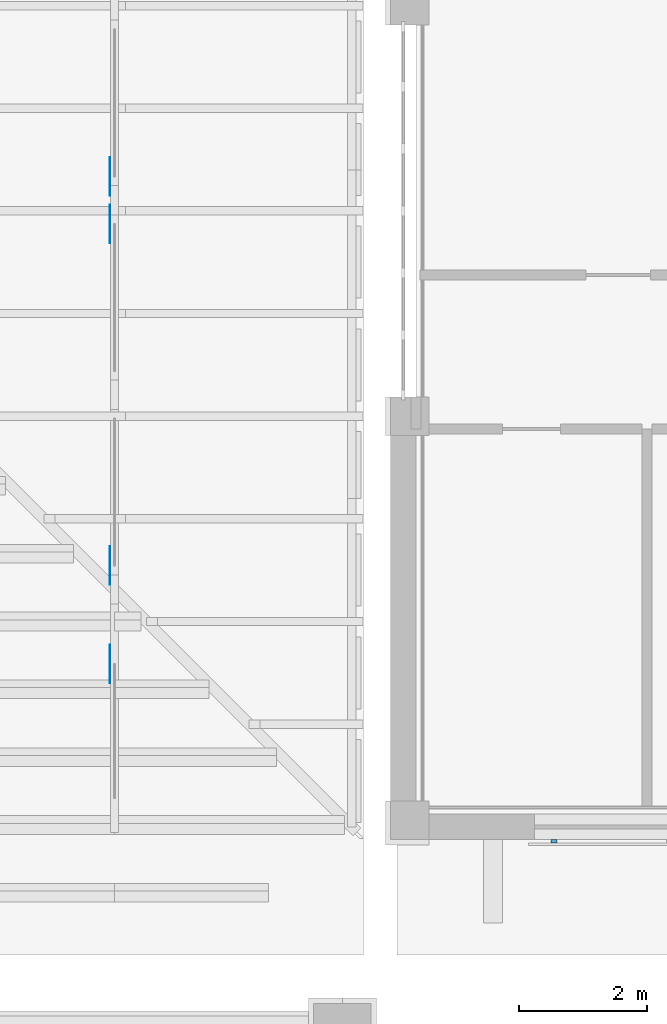
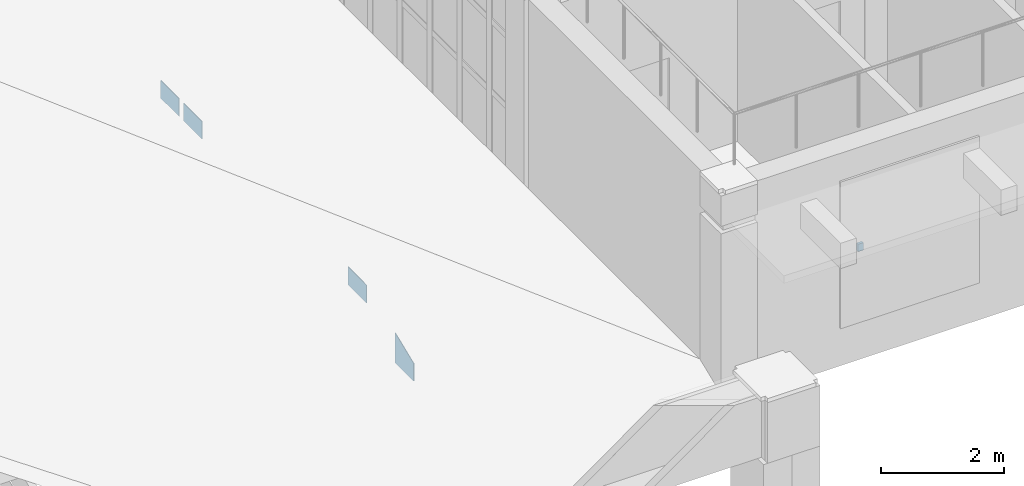
# One storey, part 40 of 68: 5 discrete accessories.
"""IFC4 building model written with IfcOpenShell, lengths in metres."""

from ifc_helpers import new_model, si_unit, direction, frame, origin, origin_2d, place, context, subcontext, project, spatial, polyline, rectangle, outline, extrude, element, save


model = new_model("IFC4")

# Units and contexts
model_context = context("Model", 3, precision=1e-05, world=origin(), true_north=direction((0.0, 1.0)))
body_context = subcontext(model_context, "Body", "Model", "MODEL_VIEW")
ifc_project = project(units=[si_unit("LENGTHUNIT", "METRE"), si_unit("AREAUNIT", "SQUARE_METRE"), si_unit("VOLUMEUNIT", "CUBIC_METRE"), si_unit("PLANEANGLEUNIT", "RADIAN"), si_unit("MASSUNIT", "GRAM", prefix="KILO")], contexts=[model_context])

# Site, building, storey
site_placement = place(None, origin())
site = spatial("IfcSite", under=ifc_project, at=site_placement, CompositionType="ELEMENT")
building_placement = place(site_placement, origin())
building = spatial("IfcBuilding", under=site, at=building_placement, Name="Wasatch Bagh Community Centre", CompositionType="ELEMENT")
storey_placement = place(building_placement, frame((0.0, 0.0, 8.39990234375)))
storey = spatial("IfcBuildingStorey", under=building, at=storey_placement, Name="L02", CompositionType="ELEMENT", Elevation=8.39990234375)

# Discrete accessories
discrete_accessory_1_placement = place(storey_placement, frame((92.0224609375, 8.437255859375, 0.86767578125), z_axis=(-1.0, 0.0, 0.0), x_axis=(0.0, 0.927143538775, 0.374706363046)))
element("IfcDiscreteAccessory", 1, at=discrete_accessory_1_placement, inside=storey, Name="Gusset plate", PredefinedType="BRACKET", context=body_context, shape_type="SweptSolid", body=[
    extrude(outline(polyline([(0.0, 0.0), (0.646990989569253, 2.7755575615628914e-17), (0.4249664917390432, 0.5493597091327549), (-0.13118381948435145, 0.3245907799325795), (0.0, 0.0)])), origin(), (0.0, 0.0, -1.0), 0.011962890625),
])
discrete_accessory_2_placement = place(storey_placement, frame((92.0224609375, 9.970947265625, 1.4873046875), z_axis=(-1.0, 0.0, 0.0), x_axis=(0.0, 0.999978814808, 0.006509219299)))
element("IfcDiscreteAccessory", 2, at=discrete_accessory_2_placement, inside=storey, Name="Gusset plate", PredefinedType="BRACKET", context=body_context, shape_type="SweptSolid", body=[
    extrude(outline(polyline([(0.0, 0.0), (0.600110369703612, 0.0), (0.5978060806451309, 0.3539964066091544), (-0.0022788624205943827, 0.350090239363812), (0.0, 0.0)])), origin(), (0.0, 0.0, -1.0), 0.011962890625),
])
for number, where, z_axis, x_axis, name in (
    (3, (92.0224609375, 15.295654296875, 1.494384765625), (-1.0, 0.0, 0.0), (0.0, 1.0, 0.0), "Gusset plate"),
    (4, (92.0224609375, 16.03759765625, 1.494384765625), (-1.0, 0.0, 0.0), (0.0, 1.0, 0.0), "Gusset plate"),
):
    element("IfcDiscreteAccessory", number, at=place(storey_placement, frame(where, z_axis=z_axis, x_axis=x_axis)), inside=storey, Name=name, PredefinedType="BRACKET", context=body_context, shape_type="SweptSolid", body=[
        extrude(outline(polyline([(0.0, 0.0), (0.60009765625, 0.0), (0.60009765625, 0.349853515625), (0.0, 0.349853515625), (0.0, 0.0)])), origin(), (0.0, 0.0, -1.0), 0.011962890625),
    ])
discrete_accessory_3_placement = place(storey_placement, frame((98.949951171875, 5.97509765625, 2.175048828125), z_axis=(0.0, 0.0, 1.0), x_axis=(1.0, 0.0, 0.0)))
element("IfcDiscreteAccessory", 5, at=discrete_accessory_3_placement, inside=storey, Name="Fixing bracket", PredefinedType="BRACKET", context=body_context, shape_type="SweptSolid", body=[
    extrude(rectangle(XDim=0.10009765625, YDim=0.050048828125, at=origin_2d()), origin(), (0.0, 0.0, 1.0), 0.14990234375),
])

save(model, "model.ifc")
